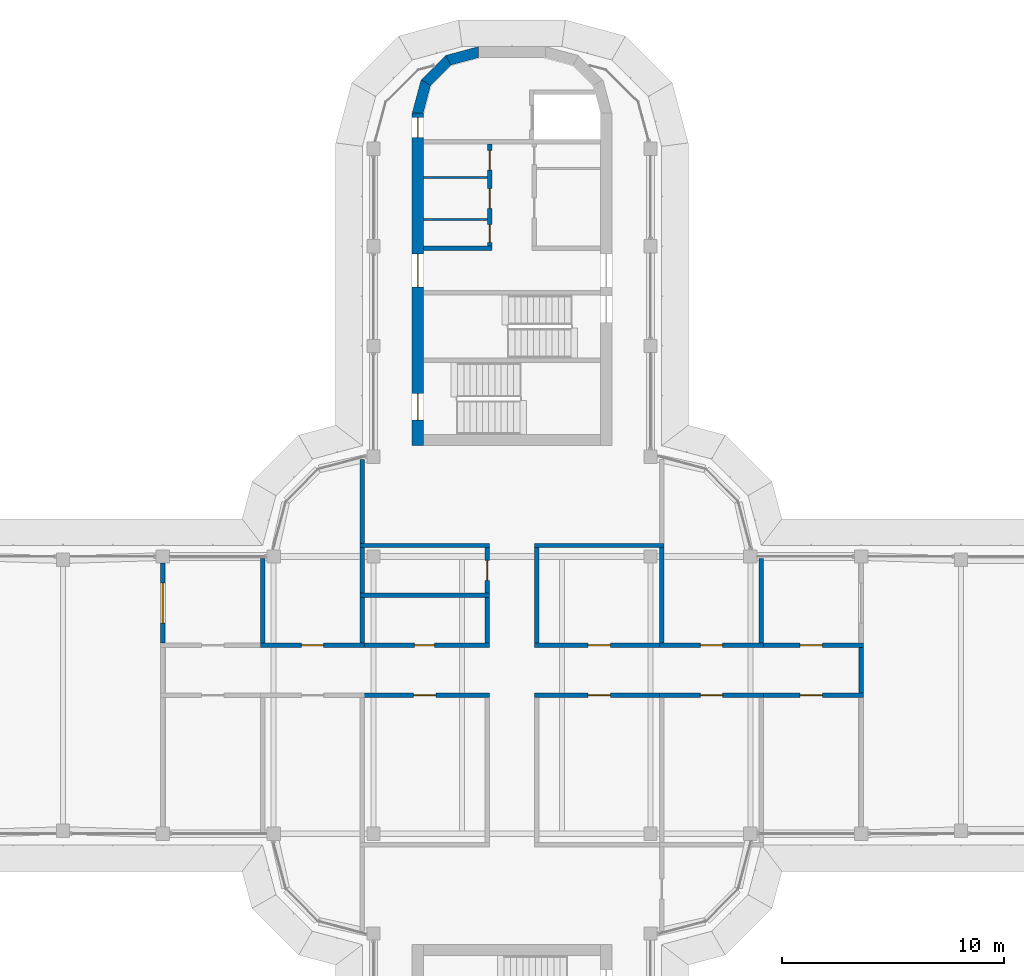
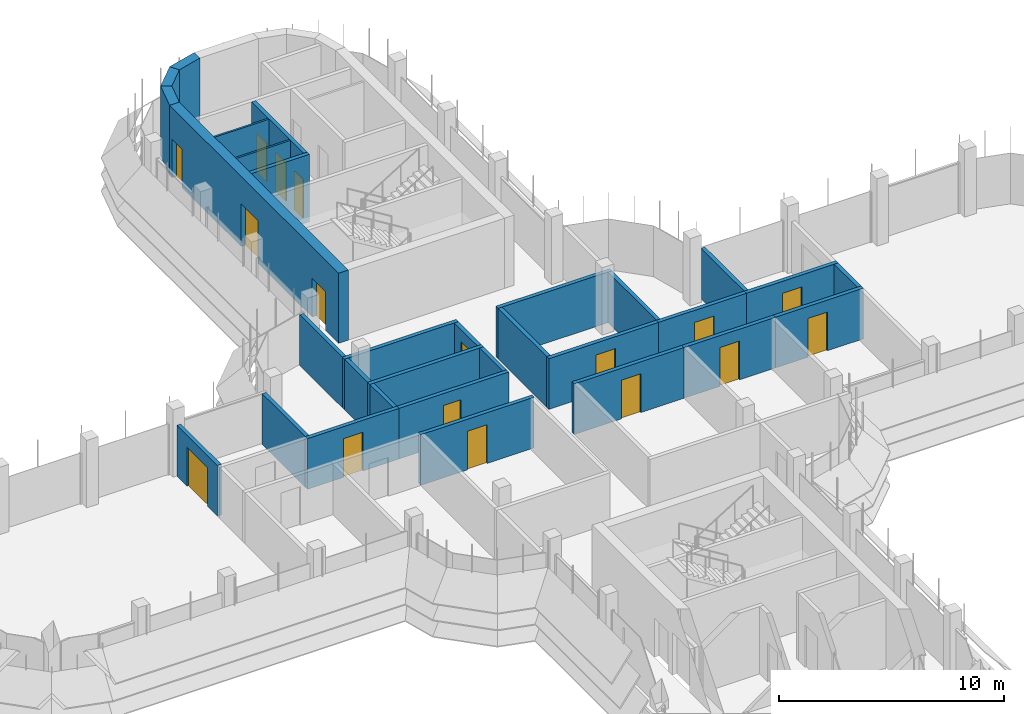
# One storey, part 14 of 19: 31 walls, 17 doors, 17 openings.
"""IFC4 building model written with IfcOpenShell, lengths in metres."""

import ifcopenshell
import ifcopenshell.guid

model = None  # the IFC model being written
_history = None  # IfcOwnerHistory: only IFC2X3 demands one
_inside = {}  # id of a spatial element -> (the spatial element, [elements in it])
_under = {}  # id of a project, library or spatial element -> (it, [spatial elements below it])
_declared = {}  # id of a project -> (the project, [libraries it declares])
_typed = {}  # id of a type object -> (the type object, [elements of that type])
_made_of = {}  # id of a material, layer set ... -> (it, [elements and type objects made of it])


def new_model(schema):
    """Start an empty IFC model of exactly this schema.

    Asked for "IFC4X3", IfcOpenShell would pick the latest addendum, in which some entities
    have other attributes; the version numbers below select the first issue.
    IFC2X3 requires an IfcOwnerHistory on every rooted entity: one is made here for all.
    """
    global model, _history
    if schema == "IFC4X3":
        model = ifcopenshell.file(schema_version=(4, 3, 0, 0))
    else:
        model = ifcopenshell.file(schema=schema)
    _inside.clear()
    _under.clear()
    _declared.clear()
    _typed.clear()
    _made_of.clear()
    _history = None
    if model.schema == "IFC2X3":
        org = make("IfcOrganization", Name="unknown")
        user = make(
            "IfcPersonAndOrganization",
            ThePerson=make("IfcPerson", FamilyName="unknown"),
            TheOrganization=org,
        )
        app = make(
            "IfcApplication",
            ApplicationDeveloper=org,
            Version="unknown",
            ApplicationFullName="unknown",
            ApplicationIdentifier="unknown",
        )
        _history = make(
            "IfcOwnerHistory",
            OwningUser=user,
            OwningApplication=app,
            ChangeAction="ADDED",
            CreationDate=0,
        )
    return model


def make(cls, **values):
    """One entity of the class cls with the attributes given. An attribute that is None is left unset."""
    return model.create_entity(
        cls, **{name: value for name, value in values.items() if value is not None}
    )


def rooted(cls, **values):
    """An entity with a GlobalId (a new one), such as an element, a storey or a relation."""
    return make(cls, GlobalId=ifcopenshell.guid.new(), OwnerHistory=_history, **values)


def si_unit(unit_type, name, prefix=None):
    """IfcSIUnit, for example si_unit("LENGTHUNIT", "METRE", prefix="MILLI")."""
    return make("IfcSIUnit", UnitType=unit_type, Prefix=prefix, Name=name)


def assignment(units):
    """IfcUnitAssignment: the units of a project."""
    return None if units is None else make("IfcUnitAssignment", Units=units)


def point(xyz):
    """IfcCartesianPoint."""
    return None if xyz is None else make("IfcCartesianPoint", Coordinates=xyz)


def direction(xyz):
    """IfcDirection."""
    return None if xyz is None else make("IfcDirection", DirectionRatios=xyz)


def frame(location, z_axis=None, x_axis=None):
    """IfcAxis2Placement3D, a coordinate frame: its origin and axes. An axis left out is left unset."""
    return make(
        "IfcAxis2Placement3D",
        Location=point(location),
        Axis=direction(z_axis),
        RefDirection=direction(x_axis),
    )


def frame_2d(location, x_axis=None):
    """IfcAxis2Placement2D, a coordinate frame in the plane: its origin and x axis."""
    return make(
        "IfcAxis2Placement2D", Location=point(location), RefDirection=direction(x_axis)
    )


def origin():
    """The frame at (0, 0, 0) with its axes left unset."""
    return frame((0.0, 0.0, 0.0))


def place(relative_to, where):
    """IfcLocalPlacement: puts the frame where relative to a parent placement (None: the world)."""
    return make(
        "IfcLocalPlacement", PlacementRelTo=relative_to, RelativePlacement=where
    )


def context(
    kind, dimensions, precision=None, world=None, true_north=None, identifier=None
):
    """IfcGeometricRepresentationContext, for example the 3D "Model" context."""
    return make(
        "IfcGeometricRepresentationContext",
        ContextIdentifier=identifier,
        ContextType=kind,
        CoordinateSpaceDimension=dimensions,
        Precision=precision,
        WorldCoordinateSystem=world,
        TrueNorth=true_north,
    )


def subcontext(parent, identifier, kind, view, scale=None):
    """IfcGeometricRepresentationSubContext, for example "Body" below "Model"."""
    return make(
        "IfcGeometricRepresentationSubContext",
        ContextIdentifier=identifier,
        ContextType=kind,
        ParentContext=parent,
        TargetScale=scale,
        TargetView=view,
    )


def project(units=None, contexts=None):
    """IfcProject with its units and contexts."""
    return rooted(
        "IfcProject",
        Name="project",
        RepresentationContexts=contexts,
        UnitsInContext=assignment(units),
    )


def spatial(cls, under=None, at=None, **own):
    """A site, building, storey or space (cls), placed at a placement, below another one or the project."""
    s = rooted(cls, ObjectPlacement=at, **own)
    if under is not None:
        _under.setdefault(under.id(), (under, []))[1].append(s)
    return s


def polyline(points):
    """IfcPolyline through the points."""
    return make("IfcPolyline", Points=[point(p) for p in points])


def profile(cls, at=None, kind="AREA", **sizes):
    """A parametric profile (cls). Its sizes go by their IFC names, for example OverallWidth=200.0."""
    return make(cls, ProfileType=kind, Position=at, **sizes)


def rectangle(**sizes):
    """IfcRectangleProfileDef."""
    return profile("IfcRectangleProfileDef", **sizes)


def outline(outer, holes=None, kind="AREA"):
    """IfcArbitraryClosedProfileDef: a profile drawn as a closed curve; with holes, ...WithVoids."""
    if holes is None:
        return make("IfcArbitraryClosedProfileDef", ProfileType=kind, OuterCurve=outer)
    return make(
        "IfcArbitraryProfileDefWithVoids",
        ProfileType=kind,
        OuterCurve=outer,
        InnerCurves=holes,
    )


def extrude(swept, where, along, depth):
    """IfcExtrudedAreaSolid: the profile swept, set in the frame where, extruded along a direction by depth."""
    return make(
        "IfcExtrudedAreaSolid",
        SweptArea=swept,
        Position=where,
        ExtrudedDirection=direction(along),
        Depth=depth,
    )


def shape(context_of_items, identifier, shape_type, items):
    """IfcShapeRepresentation: the items that make up one representation, for example the "Body"."""
    return make(
        "IfcShapeRepresentation",
        ContextOfItems=context_of_items,
        RepresentationIdentifier=identifier,
        RepresentationType=shape_type,
        Items=items,
    )


def material(Name=None, Category=None):
    """IfcMaterial."""
    return make("IfcMaterial", Name=Name, Category=Category)


def layer(
    of_material, thickness, ventilated=None, Name=None, Category=None, Priority=None
):
    """IfcMaterialLayer: one layer of a wall or slab, of a material (None: an air gap)."""
    return make(
        "IfcMaterialLayer",
        Material=of_material,
        LayerThickness=thickness,
        IsVentilated=ventilated,
        Name=Name,
        Category=Category,
        Priority=Priority,
    )


def layer_set(layers, Name=None):
    """IfcMaterialLayerSet."""
    return make("IfcMaterialLayerSet", MaterialLayers=layers, LayerSetName=Name)


def made_of(thing, what):
    """Note that an element or type object is made of a material, layer set ...; save() writes the relation."""
    if what is not None:
        _made_of.setdefault(what.id(), (what, []))[1].append(thing)
    return thing


def type_object(cls, material=None, **own):
    """A type object (cls), such as IfcWallType, which elements share."""
    return made_of(rooted(cls, **own), material)


def element(
    cls,
    number,
    at=None,
    inside=None,
    cuts=None,
    type_object=None,
    material=None,
    context=None,
    identifier="Body",
    shape_type=None,
    held_by="IfcProductDefinitionShape",
    body=None,
    shapes=None,
    **own,
):
    """One element of the class cls, such as IfcWall. Its Tag is "e" and its number.

    at: its placement. inside: the storey or other place that contains it. cuts: it is an
    opening in that element (IfcRelVoidsElement). A single representation is given by context,
    identifier, shape_type and body (its items); several are given by shapes. held_by: the class
    of the entity that holds the representations. save() writes the other relations.
    """
    e = rooted(cls, Tag="e%d" % number, ObjectPlacement=at, **own)
    if body is not None:
        shapes = [shape(context, identifier, shape_type, body)]
    if shapes is not None:
        e.Representation = make(held_by, Representations=shapes)
    if inside is not None:
        _inside.setdefault(inside.id(), (inside, []))[1].append(e)
    if cuts is not None:
        rooted(
            "IfcRelVoidsElement", RelatingBuildingElement=cuts, RelatedOpeningElement=e
        )
    if type_object is not None:
        _typed.setdefault(type_object.id(), (type_object, []))[1].append(e)
    return made_of(e, material)


def fill(opening, filler):
    """IfcRelFillsElement: the door or window that sits in an opening."""
    return rooted(
        "IfcRelFillsElement",
        RelatingOpeningElement=opening,
        RelatedBuildingElement=filler,
    )


def aggregate(whole, parts):
    """IfcRelAggregates: a whole, such as a stair, and the parts it consists of."""
    return rooted("IfcRelAggregates", RelatingObject=whole, RelatedObjects=parts)


def save(model, path):
    """Write the relations noted so far, then the file.

    IfcRelAggregates (storeys below a building ...), IfcRelContainedInSpatialStructure (elements
    in a storey), IfcRelDefinesByType, IfcRelAssociatesMaterial and IfcRelDeclares: one each for
    every whole, place, type object, material and project.
    """
    for whole, parts in _under.values():
        aggregate(whole, parts)
    for where, things in _inside.values():
        rooted(
            "IfcRelContainedInSpatialStructure",
            RelatedElements=things,
            RelatingStructure=where,
        )
    for kind, things in _typed.values():
        rooted("IfcRelDefinesByType", RelatedObjects=things, RelatingType=kind)
    for what, things in _made_of.values():
        rooted("IfcRelAssociatesMaterial", RelatedObjects=things, RelatingMaterial=what)
    for by, libraries in _declared.values():
        rooted("IfcRelDeclares", RelatingContext=by, RelatedDefinitions=libraries)
    model.write(path)


model = new_model("IFC4")

# Units and contexts
model_context = context("Model", 3, precision=1e-05, world=origin(), true_north=direction((0.0, 1.0)))
body_context = subcontext(model_context, "Body", "Model", "MODEL_VIEW")
ifc_project = project(units=[si_unit("LENGTHUNIT", "METRE"), si_unit("AREAUNIT", "SQUARE_METRE"), si_unit("VOLUMEUNIT", "CUBIC_METRE"), si_unit("PLANEANGLEUNIT", "RADIAN"), si_unit("MASSUNIT", "GRAM", prefix="KILO")], contexts=[model_context])

# Site, building, storey
site_placement = place(None, origin())
site = spatial("IfcSite", under=ifc_project, at=site_placement, CompositionType="ELEMENT")
building_placement = place(site_placement, origin())
building = spatial("IfcBuilding", under=site, at=building_placement, Name="Zarbagh Exchange Tower", CompositionType="ELEMENT")
storey_placement = place(building_placement, frame((0.0, 0.0, 261.199951171875)))
storey = spatial("IfcBuildingStorey", under=building, at=storey_placement, Name="L64", CompositionType="ELEMENT", Elevation=261.199951171875)

# Walls
ifc_material_1 = material(Name="Dense blockwork", Category="masonry")
ifc_layer_1 = layer(ifc_material_1, 0.10009765625)
ifc_layer_set_1 = layer_set([ifc_layer_1], Name="Core partition 100 mm blockwork")
wall_type_1 = type_object("IfcWallType", Name="Core partition 100 mm blockwork", PredefinedType="PARTITIONING", material=ifc_layer_set_1)
for number, where, z_axis, x_axis, name in (
    (1, (-4.0, 23.35009765625, 0.0), (0.0, 0.0, 1.0), (1.0, 0.0, 0.0), "North core partition wall CUT-W-500"),
    (2, (-4.0, 21.449951171875, 0.0), (0.0, 0.0, 1.0), (1.0, 0.0, 0.0), "North core partition wall CUT-W-690"),
):
    element("IfcWall", number, at=place(storey_placement, frame(where, z_axis=z_axis, x_axis=x_axis)), inside=storey, type_object=wall_type_1, Name=name, PredefinedType="PARTITIONING", context=body_context, shape_type="SweptSolid", body=[
        extrude(rectangle(XDim=2.89990234375, YDim=0.10009765625, at=frame_2d((1.449951171875, 0.0))), origin(), (0.0, 0.0, 1.0), 3.650146484375),
    ])

# Wall, opening, door
ifc_material_2 = material(Name="Fire-rated plasterboard partition")
ifc_layer_2 = layer(ifc_material_2, 0.199951171875)
ifc_layer_set_2 = layer_set([ifc_layer_2], Name="RATED PARTITION 200")
wall_type_2 = type_object("IfcWallType", Name="RATED PARTITION 200", PredefinedType="PARTITIONING", material=ifc_layer_set_2)
wall_1_placement = place(storey_placement, frame((1.02490234375, 2.25, 0.0), z_axis=(0.0, 0.0, 1.0), x_axis=(1.0, 0.0, 0.0)))
wall_1 = element("IfcWall", 3, at=wall_1_placement, inside=storey, type_object=wall_type_2, Name="Partition W-2701", PredefinedType="PARTITIONING", context=body_context, shape_type="SweptSolid", body=[
    extrude(rectangle(XDim=5.8251953125, YDim=0.199951171875, at=frame_2d((2.91259765625, 0.0))), origin(), (0.0, 0.0, 1.0), 2.75),
])
opening_1_placement = place(wall_1_placement, frame((2.41259765625, 0.0, 0.0)))
opening_1 = element("IfcOpeningElement", 4, at=opening_1_placement, cuts=wall_1, Name="Opening D-2704", PredefinedType="OPENING", context=body_context, shape_type="SweptSolid", body=[
    extrude(rectangle(XDim=1.0, YDim=2.10009765625, at=frame_2d((0.5, 1.050048828125))), frame((0.0, 0.10986328125, 0.0), z_axis=(0.0, -1.0, 0.0), x_axis=(1.0, 0.0, 0.0)), (0.0, 0.0, 1.0), 0.219970703125),
])
ifc_material_3 = material(Name="Steel door set", Category="steel")
door_type_1 = type_object("IfcDoorType", Name="FIRE DOOR 1000 X 2100 FD30S", OperationType="NOTDEFINED", PredefinedType="DOOR", material=ifc_material_3)
door_1_placement = place(opening_1_placement, origin())
door_1 = element("IfcDoor", 5, at=door_1_placement, inside=storey, type_object=door_type_1, Name="Door D-2704", OperationType="SINGLE_SWING_RIGHT", OverallHeight=2.10009765625, OverallWidth=1.0, PredefinedType="DOOR", context=body_context, shape_type="SweptSolid", body=[
    extrude(rectangle(XDim=1.0, YDim=2.10009765625, at=frame_2d((0.5, 1.050048828125))), frame((0.0, 0.02490234375, 0.0), z_axis=(0.0, -1.0, 0.0), x_axis=(1.0, 0.0, 0.0)), (0.0, 0.0, 1.0), 0.050048828125),
])
fill(opening_1, door_1)

wall_2_placement = place(storey_placement, frame((6.64990234375, 2.25, 0.0), z_axis=(0.0, 0.0, 1.0), x_axis=(1.0, 0.0, 0.0)))
wall_2 = element("IfcWall", 6, at=wall_2_placement, inside=storey, type_object=wall_type_2, Name="Partition W-2702", PredefinedType="PARTITIONING", context=body_context, shape_type="SweptSolid", body=[
    extrude(rectangle(XDim=4.7001953125, YDim=0.199951171875, at=frame_2d((2.35009765625, 0.0))), origin(), (0.0, 0.0, 1.0), 2.75),
])
opening_2_placement = place(wall_2_placement, frame((1.85009765625, 0.0, 0.0)))
opening_2 = element("IfcOpeningElement", 7, at=opening_2_placement, cuts=wall_2, Name="Opening D-2705", PredefinedType="OPENING", context=body_context, shape_type="SweptSolid", body=[
    extrude(rectangle(XDim=1.0, YDim=2.10009765625, at=frame_2d((0.5, 1.050048828125))), frame((0.0, 0.10986328125, 0.0), z_axis=(0.0, -1.0, 0.0), x_axis=(1.0, 0.0, 0.0)), (0.0, 0.0, 1.0), 0.219970703125),
])
door_2_placement = place(opening_2_placement, origin())
door_2 = element("IfcDoor", 8, at=door_2_placement, inside=storey, type_object=door_type_1, Name="Door D-2705", OperationType="SINGLE_SWING_RIGHT", OverallHeight=2.10009765625, OverallWidth=1.0, PredefinedType="DOOR", context=body_context, shape_type="SweptSolid", body=[
    extrude(rectangle(XDim=1.0, YDim=2.10009765625, at=frame_2d((0.5, 1.050048828125))), frame((0.0, 0.02490234375, 0.0), z_axis=(0.0, -1.0, 0.0), x_axis=(1.0, 0.0, 0.0)), (0.0, 0.0, 1.0), 0.050048828125),
])
fill(opening_2, door_2)

wall_3_placement = place(storey_placement, frame((-6.85009765625, 2.25, 0.0), z_axis=(0.0, 0.0, 1.0), x_axis=(1.0, 0.0, 0.0)))
wall_3 = element("IfcWall", 9, at=wall_3_placement, inside=storey, type_object=wall_type_2, Name="Partition W-2703", PredefinedType="PARTITIONING", context=body_context, shape_type="SweptSolid", body=[
    extrude(rectangle(XDim=5.8251953125, YDim=0.199951171875, at=frame_2d((2.91259765625, 0.0))), origin(), (0.0, 0.0, 1.0), 2.75),
])
opening_3_placement = place(wall_3_placement, frame((2.46240234375, 0.0, 0.0)))
opening_3 = element("IfcOpeningElement", 10, at=opening_3_placement, cuts=wall_3, Name="Opening D-2706", PredefinedType="OPENING", context=body_context, shape_type="SweptSolid", body=[
    extrude(rectangle(XDim=0.89990234375, YDim=2.10009765625, at=frame_2d((0.449951171875, 1.050048828125))), frame((0.0, 0.10986328125, 0.0), z_axis=(0.0, -1.0, 0.0), x_axis=(1.0, 0.0, 0.0)), (0.0, 0.0, 1.0), 0.219970703125),
])
ifc_material_4 = material(Name="Timber door leaf", Category="wood")
door_type_2 = type_object("IfcDoorType", Name="DOOR 900 X 2100", OperationType="NOTDEFINED", PredefinedType="DOOR", material=ifc_material_4)
door_3_placement = place(opening_3_placement, origin())
door_3 = element("IfcDoor", 11, at=door_3_placement, inside=storey, type_object=door_type_2, Name="Door D-2706", OperationType="SINGLE_SWING_RIGHT", OverallHeight=2.10009765625, OverallWidth=0.89990234375, PredefinedType="DOOR", context=body_context, shape_type="SweptSolid", body=[
    extrude(rectangle(XDim=0.89990234375, YDim=2.10009765625, at=frame_2d((0.449951171875, 1.050048828125))), frame((0.0, 0.02490234375, 0.0), z_axis=(0.0, -1.0, 0.0), x_axis=(1.0, 0.0, 0.0)), (0.0, 0.0, 1.0), 0.050048828125),
])
fill(opening_3, door_3)

wall_4_placement = place(storey_placement, frame((-11.35009765625, 2.25, 0.0), z_axis=(0.0, 0.0, 1.0), x_axis=(1.0, 0.0, 0.0)))
wall_4 = element("IfcWall", 12, at=wall_4_placement, inside=storey, type_object=wall_type_2, Name="Partition W-2704", PredefinedType="PARTITIONING", context=body_context, shape_type="SweptSolid", body=[
    extrude(rectangle(XDim=4.7001953125, YDim=0.199951171875, at=frame_2d((2.35009765625, 0.0))), origin(), (0.0, 0.0, 1.0), 2.75),
])
opening_4_placement = place(wall_4_placement, frame((1.85009765625, 0.0, 0.0)))
opening_4 = element("IfcOpeningElement", 13, at=opening_4_placement, cuts=wall_4, Name="Opening D-2708", PredefinedType="OPENING", context=body_context, shape_type="SweptSolid", body=[
    extrude(rectangle(XDim=1.0, YDim=2.10009765625, at=frame_2d((0.5, 1.050048828125))), frame((0.0, 0.10986328125, 0.0), z_axis=(0.0, -1.0, 0.0), x_axis=(1.0, 0.0, 0.0)), (0.0, 0.0, 1.0), 0.219970703125),
])
door_4_placement = place(opening_4_placement, origin())
door_4 = element("IfcDoor", 14, at=door_4_placement, inside=storey, type_object=door_type_1, Name="Door D-2708", OperationType="SINGLE_SWING_RIGHT", OverallHeight=2.10009765625, OverallWidth=1.0, PredefinedType="DOOR", context=body_context, shape_type="SweptSolid", body=[
    extrude(rectangle(XDim=1.0, YDim=2.10009765625, at=frame_2d((0.5, 1.050048828125))), frame((0.0, 0.02490234375, 0.0), z_axis=(0.0, -1.0, 0.0), x_axis=(1.0, 0.0, 0.0)), (0.0, 0.0, 1.0), 0.050048828125),
])
fill(opening_4, door_4)

wall_5_placement = place(storey_placement, frame((6.85009765625, 0.0, 0.0), z_axis=(0.0, 0.0, 1.0), x_axis=(-1.0, 0.0, 0.0)))
wall_5 = element("IfcWall", 15, at=wall_5_placement, inside=storey, type_object=wall_type_2, Name="Partition W-2705", PredefinedType="PARTITIONING", context=body_context, shape_type="SweptSolid", body=[
    extrude(rectangle(XDim=5.8251953125, YDim=0.199951171875, at=frame_2d((2.91259765625, 0.0))), origin(), (0.0, 0.0, 1.0), 2.75),
])
opening_5_placement = place(wall_5_placement, frame((2.41259765625, 0.0, 0.0)))
opening_5 = element("IfcOpeningElement", 16, at=opening_5_placement, cuts=wall_5, Name="Opening D-2709", PredefinedType="OPENING", context=body_context, shape_type="SweptSolid", body=[
    extrude(rectangle(XDim=1.0, YDim=2.10009765625, at=frame_2d((0.5, 1.050048828125))), frame((0.0, 0.10986328125, 0.0), z_axis=(0.0, -1.0, 0.0), x_axis=(1.0, 0.0, 0.0)), (0.0, 0.0, 1.0), 0.219970703125),
])
door_5_placement = place(opening_5_placement, origin())
door_5 = element("IfcDoor", 17, at=door_5_placement, inside=storey, type_object=door_type_1, Name="Door D-2709", OperationType="SINGLE_SWING_RIGHT", OverallHeight=2.10009765625, OverallWidth=1.0, PredefinedType="DOOR", context=body_context, shape_type="SweptSolid", body=[
    extrude(rectangle(XDim=1.0, YDim=2.10009765625, at=frame_2d((0.5, 1.050048828125))), frame((0.0, 0.02490234375, 0.0), z_axis=(0.0, -1.0, 0.0), x_axis=(1.0, 0.0, 0.0)), (0.0, 0.0, 1.0), 0.050048828125),
])
fill(opening_5, door_5)

wall_6_placement = place(storey_placement, frame((11.35009765625, 0.0, 0.0), z_axis=(0.0, 0.0, 1.0), x_axis=(-1.0, 0.0, 0.0)))
wall_6 = element("IfcWall", 18, at=wall_6_placement, inside=storey, type_object=wall_type_2, Name="Partition W-2706", PredefinedType="PARTITIONING", context=body_context, shape_type="SweptSolid", body=[
    extrude(rectangle(XDim=4.7001953125, YDim=0.199951171875, at=frame_2d((2.35009765625, 0.0))), origin(), (0.0, 0.0, 1.0), 2.75),
])
opening_6_placement = place(wall_6_placement, frame((1.85009765625, 0.0, 0.0)))
opening_6 = element("IfcOpeningElement", 19, at=opening_6_placement, cuts=wall_6, Name="Opening D-2710", PredefinedType="OPENING", context=body_context, shape_type="SweptSolid", body=[
    extrude(rectangle(XDim=1.0, YDim=2.10009765625, at=frame_2d((0.5, 1.050048828125))), frame((0.0, 0.10986328125, 0.0), z_axis=(0.0, -1.0, 0.0), x_axis=(1.0, 0.0, 0.0)), (0.0, 0.0, 1.0), 0.219970703125),
])
door_6_placement = place(opening_6_placement, origin())
door_6 = element("IfcDoor", 20, at=door_6_placement, inside=storey, type_object=door_type_1, Name="Door D-2710", OperationType="SINGLE_SWING_RIGHT", OverallHeight=2.10009765625, OverallWidth=1.0, PredefinedType="DOOR", context=body_context, shape_type="SweptSolid", body=[
    extrude(rectangle(XDim=1.0, YDim=2.10009765625, at=frame_2d((0.5, 1.050048828125))), frame((0.0, 0.02490234375, 0.0), z_axis=(0.0, -1.0, 0.0), x_axis=(1.0, 0.0, 0.0)), (0.0, 0.0, 1.0), 0.050048828125),
])
fill(opening_6, door_6)

wall_7_placement = place(storey_placement, frame((-1.02490234375, 0.0, 0.0), z_axis=(0.0, 0.0, 1.0), x_axis=(-1.0, 0.0, 0.0)))
wall_7 = element("IfcWall", 21, at=wall_7_placement, inside=storey, type_object=wall_type_2, Name="Partition W-2707", PredefinedType="PARTITIONING", context=body_context, shape_type="SweptSolid", body=[
    extrude(rectangle(XDim=5.8251953125, YDim=0.199951171875, at=frame_2d((2.91259765625, 0.0))), origin(), (0.0, 0.0, 1.0), 2.75),
])
opening_7_placement = place(wall_7_placement, frame((2.41259765625, 0.0, 0.0)))
opening_7 = element("IfcOpeningElement", 22, at=opening_7_placement, cuts=wall_7, Name="Opening D-2712", PredefinedType="OPENING", context=body_context, shape_type="SweptSolid", body=[
    extrude(rectangle(XDim=1.0, YDim=2.10009765625, at=frame_2d((0.5, 1.050048828125))), frame((0.0, 0.10986328125, 0.0), z_axis=(0.0, -1.0, 0.0), x_axis=(1.0, 0.0, 0.0)), (0.0, 0.0, 1.0), 0.219970703125),
])
door_7_placement = place(opening_7_placement, origin())
door_7 = element("IfcDoor", 23, at=door_7_placement, inside=storey, type_object=door_type_1, Name="Door D-2712", OperationType="SINGLE_SWING_RIGHT", OverallHeight=2.10009765625, OverallWidth=1.0, PredefinedType="DOOR", context=body_context, shape_type="SweptSolid", body=[
    extrude(rectangle(XDim=1.0, YDim=2.10009765625, at=frame_2d((0.5, 1.050048828125))), frame((0.0, 0.02490234375, 0.0), z_axis=(0.0, -1.0, 0.0), x_axis=(1.0, 0.0, 0.0)), (0.0, 0.0, 1.0), 0.050048828125),
])
fill(opening_7, door_7)

wall_8_placement = place(storey_placement, frame((11.14990234375, 2.25, 0.0), z_axis=(0.0, 0.0, 1.0), x_axis=(1.0, 0.0, 0.0)))
wall_8 = element("IfcWall", 24, at=wall_8_placement, inside=storey, type_object=wall_type_2, Name="Partition W-2709", PredefinedType="PARTITIONING", context=body_context, shape_type="SweptSolid", body=[
    extrude(rectangle(XDim=4.7001953125, YDim=0.199951171875, at=frame_2d((2.35009765625, 0.0))), origin(), (0.0, 0.0, 1.0), 2.75),
])
opening_8_placement = place(wall_8_placement, frame((1.85009765625, 0.0, 0.0)))
opening_8 = element("IfcOpeningElement", 25, at=opening_8_placement, cuts=wall_8, Name="Opening D-2702", PredefinedType="OPENING", context=body_context, shape_type="SweptSolid", body=[
    extrude(rectangle(XDim=1.0, YDim=2.10009765625, at=frame_2d((0.5, 1.050048828125))), frame((0.0, 0.10986328125, 0.0), z_axis=(0.0, -1.0, 0.0), x_axis=(1.0, 0.0, 0.0)), (0.0, 0.0, 1.0), 0.219970703125),
])
door_8_placement = place(opening_8_placement, origin())
door_8 = element("IfcDoor", 26, at=door_8_placement, inside=storey, type_object=door_type_1, Name="Door D-2702", OperationType="SINGLE_SWING_RIGHT", OverallHeight=2.10009765625, OverallWidth=1.0, PredefinedType="DOOR", context=body_context, shape_type="SweptSolid", body=[
    extrude(rectangle(XDim=1.0, YDim=2.10009765625, at=frame_2d((0.5, 1.050048828125))), frame((0.0, 0.02490234375, 0.0), z_axis=(0.0, -1.0, 0.0), x_axis=(1.0, 0.0, 0.0)), (0.0, 0.0, 1.0), 0.050048828125),
])
fill(opening_8, door_8)

wall_9_placement = place(storey_placement, frame((15.85009765625, 0.0, 0.0), z_axis=(0.0, 0.0, 1.0), x_axis=(-1.0, 0.0, 0.0)))
wall_9 = element("IfcWall", 27, at=wall_9_placement, inside=storey, type_object=wall_type_2, Name="Partition W-2710", PredefinedType="PARTITIONING", context=body_context, shape_type="SweptSolid", body=[
    extrude(rectangle(XDim=4.7001953125, YDim=0.199951171875, at=frame_2d((2.35009765625, 0.0))), origin(), (0.0, 0.0, 1.0), 2.75),
])
opening_9_placement = place(wall_9_placement, frame((1.85009765625, 0.0, 0.0)))
opening_9 = element("IfcOpeningElement", 28, at=opening_9_placement, cuts=wall_9, Name="Opening D-2703", PredefinedType="OPENING", context=body_context, shape_type="SweptSolid", body=[
    extrude(rectangle(XDim=1.0, YDim=2.10009765625, at=frame_2d((0.5, 1.050048828125))), frame((0.0, 0.10986328125, 0.0), z_axis=(0.0, -1.0, 0.0), x_axis=(1.0, 0.0, 0.0)), (0.0, 0.0, 1.0), 0.219970703125),
])
door_9_placement = place(opening_9_placement, origin())
door_9 = element("IfcDoor", 29, at=door_9_placement, inside=storey, type_object=door_type_1, Name="Door D-2703", OperationType="SINGLE_SWING_RIGHT", OverallHeight=2.10009765625, OverallWidth=1.0, PredefinedType="DOOR", context=body_context, shape_type="SweptSolid", body=[
    extrude(rectangle(XDim=1.0, YDim=2.10009765625, at=frame_2d((0.5, 1.050048828125))), frame((0.0, 0.02490234375, 0.0), z_axis=(0.0, -1.0, 0.0), x_axis=(1.0, 0.0, 0.0)), (0.0, 0.0, 1.0), 0.050048828125),
])
fill(opening_9, door_9)

# Walls
wall_10_placement = place(storey_placement, frame((15.75, 0.10009765625, 0.0), z_axis=(0.0, 0.0, 1.0), x_axis=(0.0, 1.0, 0.0)))
element("IfcWall", 30, at=wall_10_placement, inside=storey, type_object=wall_type_2, Name="Partition W-2711", PredefinedType="PARTITIONING", context=body_context, shape_type="SweptSolid", body=[
    extrude(rectangle(XDim=2.0498046875, YDim=0.199951171875, at=frame_2d((1.02490234375, 0.0))), origin(), (0.0, 0.0, 1.0), 2.75),
])
wall_11_placement = place(storey_placement, frame((1.125, 2.35009765625, 0.0), z_axis=(0.0, 0.0, 1.0), x_axis=(0.0, 1.0, 0.0)))
element("IfcWall", 31, at=wall_11_placement, inside=storey, type_object=wall_type_2, Name="Partition W-2715", PredefinedType="PARTITIONING", context=body_context, shape_type="SweptSolid", body=[
    extrude(rectangle(XDim=4.2998046875, YDim=0.199951171875, at=frame_2d((2.14990234375, 0.0))), origin(), (0.0, 0.0, 1.0), 2.75),
])
wall_12_placement = place(storey_placement, frame((-1.125, 2.35009765625, 0.0), z_axis=(0.0, 0.0, 1.0), x_axis=(0.0, 1.0, 0.0)))
element("IfcWall", 32, at=wall_12_placement, inside=storey, type_object=wall_type_2, Name="Partition W-2716", PredefinedType="PARTITIONING", context=body_context, shape_type="SweptSolid", body=[
    extrude(rectangle(XDim=2.0498046875, YDim=0.199951171875, at=frame_2d((1.02490234375, 0.0))), origin(), (0.0, 0.0, 1.0), 2.75),
])

# Wall, opening, door
wall_13_placement = place(storey_placement, frame((-1.125, 4.60009765625, 0.0), z_axis=(0.0, 0.0, 1.0), x_axis=(0.0, 1.0, 0.0)))
wall_13 = element("IfcWall", 33, at=wall_13_placement, inside=storey, type_object=wall_type_2, Name="Partition W-2717", PredefinedType="PARTITIONING", context=body_context, shape_type="SweptSolid", body=[
    extrude(rectangle(XDim=2.0498046875, YDim=0.199951171875, at=frame_2d((1.02490234375, 0.0))), origin(), (0.0, 0.0, 1.0), 2.75),
])
opening_10_placement = place(wall_13_placement, frame((0.574951171875, 0.0, 0.0)))
opening_10 = element("IfcOpeningElement", 34, at=opening_10_placement, cuts=wall_13, Name="Opening D-2707", PredefinedType="OPENING", context=body_context, shape_type="SweptSolid", body=[
    extrude(rectangle(XDim=0.89990234375, YDim=2.10009765625, at=frame_2d((0.449951171875, 1.050048828125))), frame((0.0, 0.10986328125, 0.0), z_axis=(0.0, -1.0, 0.0), x_axis=(1.0, 0.0, 0.0)), (0.0, 0.0, 1.0), 0.219970703125),
])
door_10_placement = place(opening_10_placement, origin())
door_10 = element("IfcDoor", 35, at=door_10_placement, inside=storey, type_object=door_type_2, Name="Door D-2707", OperationType="SINGLE_SWING_RIGHT", OverallHeight=2.10009765625, OverallWidth=0.89990234375, PredefinedType="DOOR", context=body_context, shape_type="SweptSolid", body=[
    extrude(rectangle(XDim=0.89990234375, YDim=2.10009765625, at=frame_2d((0.449951171875, 1.050048828125))), frame((0.0, 0.02490234375, 0.0), z_axis=(0.0, -1.0, 0.0), x_axis=(1.0, 0.0, 0.0)), (0.0, 0.0, 1.0), 0.050048828125),
])
fill(opening_10, door_10)

# Walls
for number, where, z_axis, x_axis, name in (
    (36, (1.02490234375, 6.75, 0.0), (0.0, 0.0, 1.0), (1.0, 0.0, 0.0), "Partition W-2720"),
    (37, (-6.85009765625, 6.75, 0.0), (0.0, 0.0, 1.0), (1.0, 0.0, 0.0), "Partition W-2722"),
):
    element("IfcWall", number, at=place(storey_placement, frame(where, z_axis=z_axis, x_axis=x_axis)), inside=storey, type_object=wall_type_2, Name=name, PredefinedType="PARTITIONING", context=body_context, shape_type="SweptSolid", body=[
        extrude(rectangle(XDim=5.8251953125, YDim=0.199951171875, at=frame_2d((2.91259765625, 0.0))), origin(), (0.0, 0.0, 1.0), 2.75),
    ])
wall_14_placement = place(storey_placement, frame((-6.75, 6.85009765625, 0.0), z_axis=(0.0, 0.0, 1.0), x_axis=(0.0, 1.0, 0.0)))
element("IfcWall", 38, at=wall_14_placement, inside=storey, type_object=wall_type_2, Name="Partition W-2723", PredefinedType="PARTITIONING", context=body_context, shape_type="SweptSolid", body=[
    extrude(rectangle(XDim=3.77978515625, YDim=0.199951171875, at=frame_2d((1.889892578125, 0.0))), origin(), (0.0, 0.0, 1.0), 2.75),
])
wall_15_placement = place(storey_placement, frame((6.75, 2.35009765625, 0.0), z_axis=(0.0, 0.0, 1.0), x_axis=(0.0, 1.0, 0.0)))
element("IfcWall", 39, at=wall_15_placement, inside=storey, type_object=wall_type_2, Name="Partition W-2728", PredefinedType="PARTITIONING", context=body_context, shape_type="SweptSolid", body=[
    extrude(rectangle(XDim=4.2998046875, YDim=0.199951171875, at=frame_2d((2.14990234375, 0.0))), origin(), (0.0, 0.0, 1.0), 2.75),
])
wall_16_placement = place(storey_placement, frame((11.25, 2.35009765625, 0.0), z_axis=(0.0, 0.0, 1.0), x_axis=(0.0, 1.0, 0.0)))
element("IfcWall", 40, at=wall_16_placement, inside=storey, type_object=wall_type_2, Name="Partition W-2729", PredefinedType="PARTITIONING", context=body_context, shape_type="SweptSolid", body=[
    extrude(rectangle(XDim=3.81982421875, YDim=0.199951171875, at=frame_2d((1.909912109375, 0.0))), origin(), (0.0, 0.0, 1.0), 2.75),
])
wall_17_placement = place(storey_placement, frame((-6.85009765625, 4.5, 0.0), z_axis=(0.0, 0.0, 1.0), x_axis=(1.0, 0.0, 0.0)))
element("IfcWall", 41, at=wall_17_placement, inside=storey, type_object=wall_type_2, Name="Partition W-2730", PredefinedType="PARTITIONING", context=body_context, shape_type="SweptSolid", body=[
    extrude(rectangle(XDim=5.8251953125, YDim=0.199951171875, at=frame_2d((2.91259765625, 0.0))), origin(), (0.0, 0.0, 1.0), 2.75),
])
for number, where, z_axis, x_axis, name in (
    (42, (-6.75, 2.35009765625, 0.0), (0.0, 0.0, 1.0), (0.0, 1.0, 0.0), "Partition W-2731"),
    (43, (-6.75, 4.60009765625, 0.0), (0.0, 0.0, 1.0), (0.0, 1.0, 0.0), "Partition W-2732"),
):
    element("IfcWall", number, at=place(storey_placement, frame(where, z_axis=z_axis, x_axis=x_axis)), inside=storey, type_object=wall_type_2, Name=name, PredefinedType="PARTITIONING", context=body_context, shape_type="SweptSolid", body=[
        extrude(rectangle(XDim=2.0498046875, YDim=0.199951171875, at=frame_2d((1.02490234375, 0.0))), origin(), (0.0, 0.0, 1.0), 2.75),
    ])
wall_18_placement = place(storey_placement, frame((-11.25, 2.35009765625, 0.0), z_axis=(0.0, 0.0, 1.0), x_axis=(0.0, 1.0, 0.0)))
element("IfcWall", 44, at=wall_18_placement, inside=storey, type_object=wall_type_2, Name="Partition W-2733", PredefinedType="PARTITIONING", context=body_context, shape_type="SweptSolid", body=[
    extrude(rectangle(XDim=3.81982421875, YDim=0.199951171875, at=frame_2d((1.909912109375, 0.0))), origin(), (0.0, 0.0, 1.0), 2.75),
])

# Wall, opening, door
wall_19_placement = place(storey_placement, frame((-15.75, 2.35009765625, 0.0), z_axis=(0.0, 0.0, 1.0), x_axis=(0.0, 1.0, 0.0)))
wall_19 = element("IfcWall", 45, at=wall_19_placement, inside=storey, type_object=wall_type_2, Name="Partition W-2741", PredefinedType="PARTITIONING", context=body_context, shape_type="SweptSolid", body=[
    extrude(rectangle(XDim=3.599853515625, YDim=0.199951171875, at=frame_2d((1.7998046875, 0.0))), origin(), (0.0, 0.0, 1.0), 2.75),
])
opening_11_placement = place(wall_19_placement, frame((0.89990234375, 0.0, 0.0)))
opening_11 = element("IfcOpeningElement", 46, at=opening_11_placement, cuts=wall_19, Name="Opening D-2714", PredefinedType="OPENING", context=body_context, shape_type="SweptSolid", body=[
    extrude(rectangle(XDim=1.800048828125, YDim=2.10009765625, at=frame_2d((0.89990234375, 1.050048828125))), frame((0.0, 0.10986328125, 0.0), z_axis=(0.0, -1.0, 0.0), x_axis=(1.0, 0.0, 0.0)), (0.0, 0.0, 1.0), 0.219970703125),
])
door_type_3 = type_object("IfcDoorType", Name="FIRE DOUBLE DOOR 1800 X 2100 FD30S", OperationType="DOUBLE_DOOR_SINGLE_SWING", PredefinedType="DOOR", material=ifc_material_3)
door_11_placement = place(opening_11_placement, origin())
door_11 = element("IfcDoor", 47, at=door_11_placement, inside=storey, type_object=door_type_3, Name="Door D-2714", OperationType="DOUBLE_DOOR_SINGLE_SWING", OverallHeight=2.10009765625, OverallWidth=1.800048828125, PredefinedType="DOOR", context=body_context, shape_type="SweptSolid", body=[
    extrude(rectangle(XDim=1.800048828125, YDim=2.10009765625, at=frame_2d((0.89990234375, 1.050048828125))), frame((0.0, 0.02490234375, 0.0), z_axis=(0.0, -1.0, 0.0), x_axis=(1.0, 0.0, 0.0)), (0.0, 0.0, 1.0), 0.050048828125),
])
fill(opening_11, door_11)

# Walls
ifc_material_5 = material(Name="Concrete C40/50", Category="concrete")
ifc_layer_3 = layer(ifc_material_5, 0.5)
ifc_layer_set_3 = layer_set([ifc_layer_3], Name="RC core corner wall 500 C40/50")
wall_type_3 = type_object("IfcWallType", Name="RC core corner wall 500 C40/50", PredefinedType="SHEAR", material=ifc_layer_set_3)
wall_20_placement = place(storey_placement, origin())
element("IfcWall", 48, at=wall_20_placement, inside=storey, type_object=wall_type_3, Name="CW10 core N corner W", PredefinedType="SHEAR", context=body_context, shape_type="SweptSolid", body=[
    extrude(outline(polyline([(-4.5, 26.25), (-4.09814453125, 27.75), (-3.6650390625, 27.5), (-4.0, 26.25), (-4.5, 26.25)])), origin(), (0.0, 0.0, 1.0), 3.800048828125),
])
wall_21_placement = place(storey_placement, origin())
element("IfcWall", 49, at=wall_21_placement, inside=storey, type_object=wall_type_3, Name="CW10 core N corner W", PredefinedType="SHEAR", context=body_context, shape_type="SweptSolid", body=[
    extrude(outline(polyline([(-4.09814453125, 27.75), (-3.0, 28.84814453125), (-2.75, 28.4150390625), (-3.6650390625, 27.5), (-4.09814453125, 27.75)])), origin(), (0.0, 0.0, 1.0), 3.800048828125),
])
wall_22_placement = place(storey_placement, origin())
element("IfcWall", 50, at=wall_22_placement, inside=storey, type_object=wall_type_3, Name="CW10 core N corner W", PredefinedType="SHEAR", context=body_context, shape_type="SweptSolid", body=[
    extrude(outline(polyline([(-3.0, 28.84814453125), (-1.5, 29.25), (-1.5, 28.75), (-2.75, 28.4150390625), (-3.0, 28.84814453125)])), origin(), (0.0, 0.0, 1.0), 3.800048828125),
])

# Wall, openings, doors
ifc_layer_4 = layer(ifc_material_5, 0.5)
ifc_layer_set_4 = layer_set([ifc_layer_4], Name="RC core wall 500 C40/50")
wall_type_4 = type_object("IfcWallType", Name="RC core wall 500 C40/50", PredefinedType="SHEAR", material=ifc_layer_set_4)
wall_23_placement = place(storey_placement, frame((-4.25, 11.25, 0.0), z_axis=(0.0, 0.0, 1.0), x_axis=(0.0, 1.0, 0.0)))
wall_23 = element("IfcWall", 51, at=wall_23_placement, inside=storey, type_object=wall_type_4, Name="CW9 core N W", PredefinedType="SHEAR", context=body_context, shape_type="SweptSolid", body=[
    extrude(rectangle(XDim=15.0, YDim=0.5, at=frame_2d((7.5, 0.0))), origin(), (0.0, 0.0, 1.0), 3.800048828125),
])
opening_12_placement = place(wall_23_placement, frame((7.14990234375, 0.0, 0.0)))
opening_12 = element("IfcOpeningElement", 52, at=opening_12_placement, cuts=wall_23, Name="Opening CD1-1500", PredefinedType="OPENING", context=body_context, shape_type="SweptSolid", body=[
    extrude(rectangle(XDim=1.5, YDim=2.300048828125, at=frame_2d((0.75, 1.14990234375))), frame((0.0, 0.260009765625, 0.0), z_axis=(0.0, -1.0, 0.0), x_axis=(1.0, 0.0, 0.0)), (0.0, 0.0, 1.0), 0.52001953125),
])
opening_13_placement = place(wall_23_placement, frame((13.89990234375, 0.0, 0.0)))
opening_13 = element("IfcOpeningElement", 53, at=opening_13_placement, cuts=wall_23, Name="Opening CD2-900", PredefinedType="OPENING", context=body_context, shape_type="SweptSolid", body=[
    extrude(rectangle(XDim=0.89990234375, YDim=2.10009765625, at=frame_2d((0.449951171875, 1.050048828125))), frame((0.0, 0.260009765625, 0.0), z_axis=(0.0, -1.0, 0.0), x_axis=(1.0, 0.0, 0.0)), (0.0, 0.0, 1.0), 0.52001953125),
])
opening_14_placement = place(wall_23_placement, frame((1.14990234375, 0.0, 0.0)))
opening_14 = element("IfcOpeningElement", 54, at=opening_14_placement, cuts=wall_23, Name="Opening SD1-1200", PredefinedType="OPENING", context=body_context, shape_type="SweptSolid", body=[
    extrude(rectangle(XDim=1.199951171875, YDim=2.10009765625, at=frame_2d((0.60009765625, 1.050048828125))), frame((0.0, 0.260009765625, 0.0), z_axis=(0.0, -1.0, 0.0), x_axis=(1.0, 0.0, 0.0)), (0.0, 0.0, 1.0), 0.52001953125),
])
ifc_material_6 = material(Name="Steel", Category="steel")
door_type_4 = type_object("IfcDoorType", Name="Exit stair door 1200 x 2100", OperationType="NOTDEFINED", PredefinedType="DOOR", material=ifc_material_6)
door_12_placement = place(opening_14_placement, origin())
door_12 = element("IfcDoor", 55, at=door_12_placement, inside=storey, type_object=door_type_4, Name="North core stair door ST2", OperationType="SINGLE_SWING_LEFT", OverallHeight=2.10009765625, OverallWidth=1.199951171875, PredefinedType="DOOR", context=body_context, shape_type="SweptSolid", body=[
    extrude(rectangle(XDim=1.199951171875, YDim=2.10009765625, at=frame_2d((0.60009765625, 1.050048828125))), frame((0.0, 0.02490234375, 0.0), z_axis=(0.0, -1.0, 0.0), x_axis=(1.0, 0.0, 0.0)), (0.0, 0.0, 1.0), 0.050048828125),
])
fill(opening_14, door_12)
door_type_5 = type_object("IfcDoorType", Name="Firefighting lobby door 900 x 2100", OperationType="NOTDEFINED", PredefinedType="DOOR", material=ifc_material_6)
door_13_placement = place(opening_13_placement, origin())
door_13 = element("IfcDoor", 56, at=door_13_placement, inside=storey, type_object=door_type_5, Name="North core firefighting lobby door FF-W", OperationType="SINGLE_SWING_RIGHT", OverallHeight=2.10009765625, OverallWidth=0.89990234375, PredefinedType="DOOR", context=body_context, shape_type="SweptSolid", body=[
    extrude(rectangle(XDim=0.89990234375, YDim=2.10009765625, at=frame_2d((0.449951171875, 1.050048828125))), frame((0.0, 0.02490234375, 0.0), z_axis=(0.0, -1.0, 0.0), x_axis=(1.0, 0.0, 0.0)), (0.0, 0.0, 1.0), 0.050048828125),
])
fill(opening_13, door_13)
door_type_6 = type_object("IfcDoorType", Name="Lift lobby double door 1500 x 2300", OperationType="NOTDEFINED", PredefinedType="DOOR", material=ifc_material_6)
door_14_placement = place(opening_12_placement, origin())
door_14 = element("IfcDoor", 57, at=door_14_placement, inside=storey, type_object=door_type_6, Name="North core lift lobby door LOBBY-W", OperationType="DOUBLE_DOOR_SINGLE_SWING", OverallHeight=2.300048828125, OverallWidth=1.5, PredefinedType="DOOR", context=body_context, shape_type="SweptSolid", body=[
    extrude(rectangle(XDim=1.5, YDim=2.300048828125, at=frame_2d((0.75, 1.14990234375))), frame((0.0, 0.02490234375, 0.0), z_axis=(0.0, -1.0, 0.0), x_axis=(1.0, 0.0, 0.0)), (0.0, 0.0, 1.0), 0.050048828125),
])
fill(opening_12, door_14)

# Wall
ifc_layer_5 = layer(ifc_material_1, 0.199951171875)
ifc_layer_set_5 = layer_set([ifc_layer_5], Name="Shaft wall 200 mm blockwork")
wall_type_5 = type_object("IfcWallType", Name="Shaft wall 200 mm blockwork", PredefinedType="PARTITIONING", material=ifc_layer_set_5)
wall_24_placement = place(storey_placement, frame((-4.0, 20.14990234375, 0.0), z_axis=(0.0, 0.0, 1.0), x_axis=(1.0, 0.0, 0.0)))
element("IfcWall", 58, at=wall_24_placement, inside=storey, type_object=wall_type_5, Name="North core shaft wall AB-W", PredefinedType="PARTITIONING", context=body_context, shape_type="SweptSolid", body=[
    extrude(rectangle(XDim=3.10009765625, YDim=0.199951171875, at=frame_2d((1.550048828125, 0.0))), origin(), (0.0, 0.0, 1.0), 3.650146484375),
])

# Wall, openings, doors
wall_25_placement = place(storey_placement, frame((-1.0, 24.85009765625, 0.0), z_axis=(0.0, 0.0, 1.0), x_axis=(0.0, -1.0, 0.0)))
wall_25 = element("IfcWall", 59, at=wall_25_placement, inside=storey, type_object=wall_type_5, Name="North core shaft wall LW-W", PredefinedType="PARTITIONING", context=body_context, shape_type="SweptSolid", body=[
    extrude(rectangle(XDim=4.60009765625, YDim=0.199951171875, at=frame_2d((2.300048828125, 0.0))), origin(), (0.0, 0.0, 1.0), 3.650146484375),
])
opening_15_placement = place(wall_25_placement, frame((0.27490234375, 0.0, 0.0)))
opening_15 = element("IfcOpeningElement", 60, at=opening_15_placement, cuts=wall_25, Name="Opening CD3-900", PredefinedType="OPENING", context=body_context, shape_type="SweptSolid", body=[
    extrude(rectangle(XDim=0.89990234375, YDim=2.10009765625, at=frame_2d((0.449951171875, 1.050048828125))), frame((0.0, 0.10986328125, 0.0), z_axis=(0.0, -1.0, 0.0), x_axis=(1.0, 0.0, 0.0)), (0.0, 0.0, 1.0), 0.219970703125),
])
opening_16_placement = place(wall_25_placement, frame((2.0, 0.0, 0.0)))
opening_16 = element("IfcOpeningElement", 61, at=opening_16_placement, cuts=wall_25, Name="Opening CD3-900", PredefinedType="OPENING", context=body_context, shape_type="SweptSolid", body=[
    extrude(rectangle(XDim=0.89990234375, YDim=2.10009765625, at=frame_2d((0.449951171875, 1.050048828125))), frame((0.0, 0.10986328125, 0.0), z_axis=(0.0, -1.0, 0.0), x_axis=(1.0, 0.0, 0.0)), (0.0, 0.0, 1.0), 0.219970703125),
])
opening_17_placement = place(wall_25_placement, frame((3.625, 0.0, 0.0)))
opening_17 = element("IfcOpeningElement", 62, at=opening_17_placement, cuts=wall_25, Name="Opening CD3-800", PredefinedType="OPENING", context=body_context, shape_type="SweptSolid", body=[
    extrude(rectangle(XDim=0.800048828125, YDim=2.10009765625, at=frame_2d((0.39990234375, 1.050048828125))), frame((0.0, 0.10986328125, 0.0), z_axis=(0.0, -1.0, 0.0), x_axis=(1.0, 0.0, 0.0)), (0.0, 0.0, 1.0), 0.219970703125),
])
door_type_7 = type_object("IfcDoorType", Name="Core room door 800 x 2100", OperationType="NOTDEFINED", PredefinedType="DOOR", material=ifc_material_6)
door_15_placement = place(opening_17_placement, origin())
door_15 = element("IfcDoor", 63, at=door_15_placement, inside=storey, type_object=door_type_7, Name="North core IT room door RD-W-2", OperationType="SINGLE_SWING_LEFT", OverallHeight=2.10009765625, OverallWidth=0.800048828125, PredefinedType="DOOR", context=body_context, shape_type="SweptSolid", body=[
    extrude(rectangle(XDim=0.800048828125, YDim=2.10009765625, at=frame_2d((0.39990234375, 1.050048828125))), frame((0.0, 0.02490234375, 0.0), z_axis=(0.0, -1.0, 0.0), x_axis=(1.0, 0.0, 0.0)), (0.0, 0.0, 1.0), 0.050048828125),
])
fill(opening_17, door_15)
door_type_8 = type_object("IfcDoorType", Name="Core room door 900 x 2100", OperationType="NOTDEFINED", PredefinedType="DOOR", material=ifc_material_6)
door_16_placement = place(opening_15_placement, origin())
door_16 = element("IfcDoor", 64, at=door_16_placement, inside=storey, type_object=door_type_8, Name="North core Cleaner's store door RD-W-0", OperationType="SINGLE_SWING_RIGHT", OverallHeight=2.10009765625, OverallWidth=0.89990234375, PredefinedType="DOOR", context=body_context, shape_type="SweptSolid", body=[
    extrude(rectangle(XDim=0.89990234375, YDim=2.10009765625, at=frame_2d((0.449951171875, 1.050048828125))), frame((0.0, 0.02490234375, 0.0), z_axis=(0.0, -1.0, 0.0), x_axis=(1.0, 0.0, 0.0)), (0.0, 0.0, 1.0), 0.050048828125),
])
fill(opening_15, door_16)
door_17_placement = place(opening_16_placement, origin())
door_17 = element("IfcDoor", 65, at=door_17_placement, inside=storey, type_object=door_type_8, Name="North core Pantry door RD-W-1", OperationType="SINGLE_SWING_RIGHT", OverallHeight=2.10009765625, OverallWidth=0.89990234375, PredefinedType="DOOR", context=body_context, shape_type="SweptSolid", body=[
    extrude(rectangle(XDim=0.89990234375, YDim=2.10009765625, at=frame_2d((0.449951171875, 1.050048828125))), frame((0.0, 0.02490234375, 0.0), z_axis=(0.0, -1.0, 0.0), x_axis=(1.0, 0.0, 0.0)), (0.0, 0.0, 1.0), 0.050048828125),
])
fill(opening_16, door_17)

save(model, "model.ifc")
